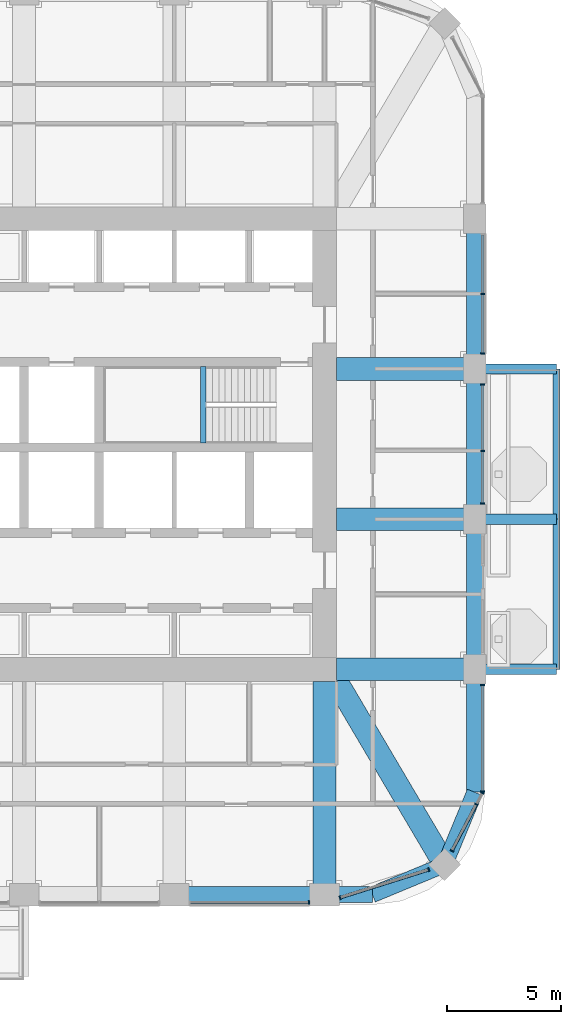
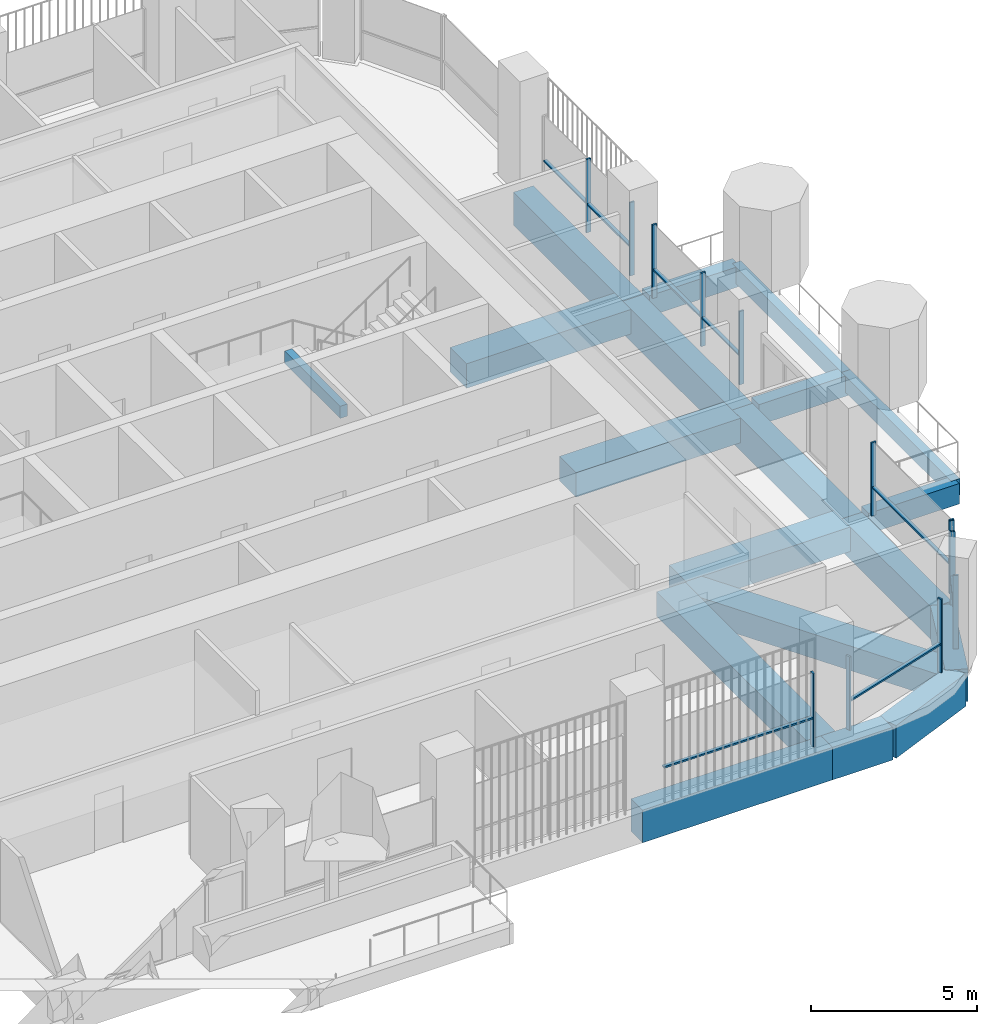
# One storey, part 4 of 20: 21 members, 19 beams, 6 elements without a shape of their own.
"""IFC4 building model written with IfcOpenShell, lengths in metres."""

import ifcopenshell
import ifcopenshell.guid

model = None  # the IFC model being written
_history = None  # IfcOwnerHistory: only IFC2X3 demands one
_inside = {}  # id of a spatial element -> (the spatial element, [elements in it])
_under = {}  # id of a project, library or spatial element -> (it, [spatial elements below it])
_declared = {}  # id of a project -> (the project, [libraries it declares])
_typed = {}  # id of a type object -> (the type object, [elements of that type])
_made_of = {}  # id of a material, layer set ... -> (it, [elements and type objects made of it])


def new_model(schema):
    """Start an empty IFC model of exactly this schema.

    Asked for "IFC4X3", IfcOpenShell would pick the latest addendum, in which some entities
    have other attributes; the version numbers below select the first issue.
    IFC2X3 requires an IfcOwnerHistory on every rooted entity: one is made here for all.
    """
    global model, _history
    if schema == "IFC4X3":
        model = ifcopenshell.file(schema_version=(4, 3, 0, 0))
    else:
        model = ifcopenshell.file(schema=schema)
    _inside.clear()
    _under.clear()
    _declared.clear()
    _typed.clear()
    _made_of.clear()
    _history = None
    if model.schema == "IFC2X3":
        org = make("IfcOrganization", Name="unknown")
        user = make(
            "IfcPersonAndOrganization",
            ThePerson=make("IfcPerson", FamilyName="unknown"),
            TheOrganization=org,
        )
        app = make(
            "IfcApplication",
            ApplicationDeveloper=org,
            Version="unknown",
            ApplicationFullName="unknown",
            ApplicationIdentifier="unknown",
        )
        _history = make(
            "IfcOwnerHistory",
            OwningUser=user,
            OwningApplication=app,
            ChangeAction="ADDED",
            CreationDate=0,
        )
    return model


def make(cls, **values):
    """One entity of the class cls with the attributes given. An attribute that is None is left unset."""
    return model.create_entity(
        cls, **{name: value for name, value in values.items() if value is not None}
    )


def rooted(cls, **values):
    """An entity with a GlobalId (a new one), such as an element, a storey or a relation."""
    return make(cls, GlobalId=ifcopenshell.guid.new(), OwnerHistory=_history, **values)


def si_unit(unit_type, name, prefix=None):
    """IfcSIUnit, for example si_unit("LENGTHUNIT", "METRE", prefix="MILLI")."""
    return make("IfcSIUnit", UnitType=unit_type, Prefix=prefix, Name=name)


def assignment(units):
    """IfcUnitAssignment: the units of a project."""
    return None if units is None else make("IfcUnitAssignment", Units=units)


def point(xyz):
    """IfcCartesianPoint."""
    return None if xyz is None else make("IfcCartesianPoint", Coordinates=xyz)


def direction(xyz):
    """IfcDirection."""
    return None if xyz is None else make("IfcDirection", DirectionRatios=xyz)


def frame(location, z_axis=None, x_axis=None):
    """IfcAxis2Placement3D, a coordinate frame: its origin and axes. An axis left out is left unset."""
    return make(
        "IfcAxis2Placement3D",
        Location=point(location),
        Axis=direction(z_axis),
        RefDirection=direction(x_axis),
    )


def frame_2d(location, x_axis=None):
    """IfcAxis2Placement2D, a coordinate frame in the plane: its origin and x axis."""
    return make(
        "IfcAxis2Placement2D", Location=point(location), RefDirection=direction(x_axis)
    )


def origin():
    """The frame at (0, 0, 0) with its axes left unset."""
    return frame((0.0, 0.0, 0.0))


def origin_2d():
    """The frame at (0, 0) in the plane with its x axis left unset."""
    return frame_2d((0.0, 0.0))


def place(relative_to, where):
    """IfcLocalPlacement: puts the frame where relative to a parent placement (None: the world)."""
    return make(
        "IfcLocalPlacement", PlacementRelTo=relative_to, RelativePlacement=where
    )


def context(
    kind, dimensions, precision=None, world=None, true_north=None, identifier=None
):
    """IfcGeometricRepresentationContext, for example the 3D "Model" context."""
    return make(
        "IfcGeometricRepresentationContext",
        ContextIdentifier=identifier,
        ContextType=kind,
        CoordinateSpaceDimension=dimensions,
        Precision=precision,
        WorldCoordinateSystem=world,
        TrueNorth=true_north,
    )


def subcontext(parent, identifier, kind, view, scale=None):
    """IfcGeometricRepresentationSubContext, for example "Body" below "Model"."""
    return make(
        "IfcGeometricRepresentationSubContext",
        ContextIdentifier=identifier,
        ContextType=kind,
        ParentContext=parent,
        TargetScale=scale,
        TargetView=view,
    )


def project(units=None, contexts=None):
    """IfcProject with its units and contexts."""
    return rooted(
        "IfcProject",
        Name="project",
        RepresentationContexts=contexts,
        UnitsInContext=assignment(units),
    )


def spatial(cls, under=None, at=None, **own):
    """A site, building, storey or space (cls), placed at a placement, below another one or the project."""
    s = rooted(cls, ObjectPlacement=at, **own)
    if under is not None:
        _under.setdefault(under.id(), (under, []))[1].append(s)
    return s


def profile(cls, at=None, kind="AREA", **sizes):
    """A parametric profile (cls). Its sizes go by their IFC names, for example OverallWidth=200.0."""
    return make(cls, ProfileType=kind, Position=at, **sizes)


def rectangle(**sizes):
    """IfcRectangleProfileDef."""
    return profile("IfcRectangleProfileDef", **sizes)


def extrude(swept, where, along, depth):
    """IfcExtrudedAreaSolid: the profile swept, set in the frame where, extruded along a direction by depth."""
    return make(
        "IfcExtrudedAreaSolid",
        SweptArea=swept,
        Position=where,
        ExtrudedDirection=direction(along),
        Depth=depth,
    )


def shape(context_of_items, identifier, shape_type, items):
    """IfcShapeRepresentation: the items that make up one representation, for example the "Body"."""
    return make(
        "IfcShapeRepresentation",
        ContextOfItems=context_of_items,
        RepresentationIdentifier=identifier,
        RepresentationType=shape_type,
        Items=items,
    )


def material(Name=None, Category=None):
    """IfcMaterial."""
    return make("IfcMaterial", Name=Name, Category=Category)


def material_profile(
    of_material, cross_section, Name=None, Category=None, Priority=None
):
    """IfcMaterialProfile: a cross section and its material."""
    return make(
        "IfcMaterialProfile",
        Name=Name,
        Material=of_material,
        Profile=cross_section,
        Priority=Priority,
        Category=Category,
    )


def profile_set(profiles, Name=None, composite=None):
    """IfcMaterialProfileSet."""
    return make(
        "IfcMaterialProfileSet",
        Name=Name,
        MaterialProfiles=profiles,
        CompositeProfile=composite,
    )


def made_of(thing, what):
    """Note that an element or type object is made of a material, layer set ...; save() writes the relation."""
    if what is not None:
        _made_of.setdefault(what.id(), (what, []))[1].append(thing)
    return thing


def type_object(cls, material=None, **own):
    """A type object (cls), such as IfcWallType, which elements share."""
    return made_of(rooted(cls, **own), material)


def element(
    cls,
    number,
    at=None,
    inside=None,
    cuts=None,
    type_object=None,
    material=None,
    context=None,
    identifier="Body",
    shape_type=None,
    held_by="IfcProductDefinitionShape",
    body=None,
    shapes=None,
    **own,
):
    """One element of the class cls, such as IfcWall. Its Tag is "e" and its number.

    at: its placement. inside: the storey or other place that contains it. cuts: it is an
    opening in that element (IfcRelVoidsElement). A single representation is given by context,
    identifier, shape_type and body (its items); several are given by shapes. held_by: the class
    of the entity that holds the representations. save() writes the other relations.
    """
    e = rooted(cls, Tag="e%d" % number, ObjectPlacement=at, **own)
    if body is not None:
        shapes = [shape(context, identifier, shape_type, body)]
    if shapes is not None:
        e.Representation = make(held_by, Representations=shapes)
    if inside is not None:
        _inside.setdefault(inside.id(), (inside, []))[1].append(e)
    if cuts is not None:
        rooted(
            "IfcRelVoidsElement", RelatingBuildingElement=cuts, RelatedOpeningElement=e
        )
    if type_object is not None:
        _typed.setdefault(type_object.id(), (type_object, []))[1].append(e)
    return made_of(e, material)


def aggregate(whole, parts):
    """IfcRelAggregates: a whole, such as a stair, and the parts it consists of."""
    return rooted("IfcRelAggregates", RelatingObject=whole, RelatedObjects=parts)


def save(model, path):
    """Write the relations noted so far, then the file.

    IfcRelAggregates (storeys below a building ...), IfcRelContainedInSpatialStructure (elements
    in a storey), IfcRelDefinesByType, IfcRelAssociatesMaterial and IfcRelDeclares: one each for
    every whole, place, type object, material and project.
    """
    for whole, parts in _under.values():
        aggregate(whole, parts)
    for where, things in _inside.values():
        rooted(
            "IfcRelContainedInSpatialStructure",
            RelatedElements=things,
            RelatingStructure=where,
        )
    for kind, things in _typed.values():
        rooted("IfcRelDefinesByType", RelatedObjects=things, RelatingType=kind)
    for what, things in _made_of.values():
        rooted("IfcRelAssociatesMaterial", RelatedObjects=things, RelatingMaterial=what)
    for by, libraries in _declared.values():
        rooted("IfcRelDeclares", RelatingContext=by, RelatedDefinitions=libraries)
    model.write(path)


model = new_model("IFC4")

# Units and contexts
model_context = context("Model", 3, precision=1e-05, world=origin(), true_north=direction((0.0, 1.0)))
body_context = subcontext(model_context, "Body", "Model", "MODEL_VIEW")
ifc_project = project(units=[si_unit("LENGTHUNIT", "METRE"), si_unit("AREAUNIT", "SQUARE_METRE"), si_unit("VOLUMEUNIT", "CUBIC_METRE"), si_unit("PLANEANGLEUNIT", "RADIAN"), si_unit("MASSUNIT", "GRAM", prefix="KILO")], contexts=[model_context])

# Site, building, storey
site_placement = place(None, origin())
site = spatial("IfcSite", under=ifc_project, at=site_placement, CompositionType="ELEMENT")
building_placement = place(site_placement, origin())
building = spatial("IfcBuilding", under=site, at=building_placement, Name="Cobogo Forest Laboratory Tower", CompositionType="ELEMENT")
storey_placement = place(building_placement, frame((0.0, 0.0, 254.39990234375)))
storey = spatial("IfcBuildingStorey", under=building, at=storey_placement, Name="L58", CompositionType="ELEMENT", Elevation=254.39990234375)

# Beams
ifc_material_1 = material(Name="Concrete HA-40 (C40/50)", Category="concrete")
ifc_material_profile_1 = material_profile(ifc_material_1, rectangle(XDim=0.449951171875, YDim=0.75, at=origin_2d()), Name="RC 450x750")
ifc_profile_set_1 = profile_set([ifc_material_profile_1], Name="Concrete HA-40 (C40/50)")
beam_type_1 = type_object("IfcBeamType", Name="Balcony cantilever beam 450x750", PredefinedType="BEAM", material=ifc_profile_set_1)
for number, where, z_axis, x_axis, name in (
    (1, (46.64990234375, 13.199951171875, -0.625), (1.0, 0.0, 0.0), (0.0, 1.0, 0.0), "CB1 BAL-E1-C1 L58"),
    (2, (46.64990234375, 19.800048828125, -0.625), (1.0, 0.0, 0.0), (0.0, 1.0, 0.0), "CB1 BAL-E1-C2 L58"),
    (3, (46.64990234375, 26.39990234375, -0.625), (1.0, 0.0, 0.0), (0.0, 1.0, 0.0), "CB1 BAL-E1-C3 L58"),
):
    element("IfcBeam", number, at=place(storey_placement, frame(where, z_axis=z_axis, x_axis=x_axis)), inside=storey, type_object=beam_type_1, Name=name, PredefinedType="BEAM", context=body_context, shape_type="SweptSolid", body=[
        extrude(rectangle(XDim=0.449951171875, YDim=0.75, at=origin_2d()), origin(), (0.0, 0.0, 1.0), 3.150146484375),
    ])
ifc_material_profile_2 = material_profile(ifc_material_1, rectangle(XDim=0.300048828125, YDim=0.60009765625, at=origin_2d()), Name="RC 300x600")
ifc_profile_set_2 = profile_set([ifc_material_profile_2], Name="Concrete HA-40 (C40/50)")
beam_type_2 = type_object("IfcBeamType", Name="Balcony edge beam 300x600", PredefinedType="BEAM", material=ifc_profile_set_2)
beam_1_placement = place(storey_placement, frame((49.800048828125, 13.199951171875, -0.5498046875), z_axis=(0.0, 1.0, 0.0), x_axis=(-1.0, 0.0, 0.0)))
element("IfcBeam", 4, at=beam_1_placement, inside=storey, type_object=beam_type_2, Name="BB1 BAL-E1-T1 L58", PredefinedType="BEAM", context=body_context, shape_type="SweptSolid", body=[
    extrude(rectangle(XDim=0.300048828125, YDim=0.60009765625, at=origin_2d()), origin(), (0.0, 0.0, 1.0), 6.60009765625),
])
beam_2_placement = place(storey_placement, frame((49.800048828125, 19.800048828125, -0.5498046875), z_axis=(0.0, 1.0, 0.0), x_axis=(-1.0, 0.0, 0.0)))
element("IfcBeam", 5, at=beam_2_placement, inside=storey, type_object=beam_type_2, Name="BB1 BAL-E1-T2 L58", PredefinedType="BEAM", context=body_context, shape_type="SweptSolid", body=[
    extrude(rectangle(XDim=0.300048828125, YDim=0.60009765625, at=origin_2d()), origin(), (0.0, 0.0, 1.0), 6.599853515625),
])
ifc_material_profile_3 = material_profile(ifc_material_1, rectangle(XDim=0.25, YDim=0.449951171875, at=origin_2d()), Name="RC 250x450")
ifc_profile_set_3 = profile_set([ifc_material_profile_3], Name="Concrete HA-40 (C40/50)")
beam_type_3 = type_object("IfcBeamType", Name="LB1 landing beam 250x450", PredefinedType="BEAM", material=ifc_profile_set_3)
beam_3_placement = place(storey_placement, frame((34.27001953125, 23.14990234375, 1.675048828125), z_axis=(0.0, 1.0, 0.0), x_axis=(-1.0, 0.0, 0.0)))
element("IfcBeam", 6, at=beam_3_placement, inside=storey, type_object=beam_type_3, Name="Landing beam ST2 L58", PredefinedType="BEAM", context=body_context, shape_type="SweptSolid", body=[
    extrude(rectangle(XDim=0.25, YDim=0.449951171875, at=origin_2d()), origin(), (0.0, 0.0, 1.0), 3.35009765625),
])

# Curtain wall, member
ifc_material_2 = material(Name="Aluminium curtain wall", Category="aluminium")
curtain_wall_type = type_object("IfcCurtainWallType", Name="CW-2 unitised curtain wall, solar control glazing, laboratory floors zones C and D", PredefinedType="USERDEFINED", material=ifc_material_2)
curtain_wall_1_placement = place(storey_placement, origin())
curtain_wall_1 = element("IfcCurtainWall", 7, at=curtain_wall_1_placement, inside=storey, type_object=curtain_wall_type, Name="Curtain wall 04 L58", ObjectType="UNITISED CURTAIN WALL", PredefinedType="USERDEFINED")
ifc_material_3 = material(Name="Aluminium mullion", Category="aluminium")
ifc_material_profile_4 = material_profile(ifc_material_3, rectangle(XDim=0.06005859375, YDim=0.159912109375, at=origin_2d()), Name="AL 60x160")
ifc_profile_set_4 = profile_set([ifc_material_profile_4], Name="Aluminium mullion")
member_type_1 = type_object("IfcMemberType", Name="MU-1 aluminium mullion 60x160", PredefinedType="MULLION", material=ifc_profile_set_4)
member_1_placement = place(storey_placement, frame((38.919921875, 2.949951171875, 0.0), z_axis=(0.0, 0.0, 1.0), x_axis=(1.0, 0.0, 0.0)))
member_1 = element("IfcMember", 8, at=member_1_placement, type_object=member_type_1, Name="CW-2 mullion 2", PredefinedType="MULLION", context=body_context, shape_type="SweptSolid", body=[
    extrude(rectangle(XDim=0.06005859375, YDim=0.159912109375, at=origin_2d()), origin(), (0.0, 0.0, 1.0), 2.7001953125),
])

# Curtain wall, members
curtain_wall_2_placement = place(storey_placement, origin())
curtain_wall_2 = element("IfcCurtainWall", 9, at=curtain_wall_2_placement, inside=storey, type_object=curtain_wall_type, Name="Curtain wall 05 L58", ObjectType="UNITISED CURTAIN WALL", PredefinedType="USERDEFINED")
member_2_placement = place(storey_placement, frame((40.278564453125, 3.164306640625, 0.0), z_axis=(0.0, 0.0, 1.0), x_axis=(0.953581386052, 0.301135418334, 0.0)))
member_2 = element("IfcMember", 10, at=member_2_placement, type_object=member_type_1, Name="CW-2 mullion 1", PredefinedType="MULLION", context=body_context, shape_type="SweptSolid", body=[
    extrude(rectangle(XDim=0.06005859375, YDim=0.159912109375, at=origin_2d()), origin(), (0.0, 0.0, 1.0), 2.7001953125),
])
member_3_placement = place(storey_placement, frame((44.17626953125, 4.395263671875, 0.0), z_axis=(0.0, 0.0, 1.0), x_axis=(0.953581386052, 0.301135418334, 0.0)))
member_3 = element("IfcMember", 11, at=member_3_placement, type_object=member_type_1, Name="CW-2 mullion 2", PredefinedType="MULLION", context=body_context, shape_type="SweptSolid", body=[
    extrude(rectangle(XDim=0.06005859375, YDim=0.159912109375, at=origin_2d()), origin(), (0.0, 0.0, 1.0), 2.7001953125),
])

curtain_wall_3_placement = place(storey_placement, origin())
curtain_wall_3 = element("IfcCurtainWall", 12, at=curtain_wall_3_placement, inside=storey, type_object=curtain_wall_type, Name="Curtain wall 06 L58", ObjectType="UNITISED CURTAIN WALL", PredefinedType="USERDEFINED")
member_4_placement = place(storey_placement, frame((45.202392578125, 5.229248046875, 0.0), z_axis=(0.0, 0.0, 1.0), x_axis=(0.464283791352, 0.885686491422, 0.0)))
member_4 = element("IfcMember", 13, at=member_4_placement, type_object=member_type_1, Name="CW-2 mullion 1", PredefinedType="MULLION", context=body_context, shape_type="SweptSolid", body=[
    extrude(rectangle(XDim=0.06005859375, YDim=0.159912109375, at=origin_2d()), origin(), (0.0, 0.0, 1.0), 2.7001953125),
])
member_5_placement = place(storey_placement, frame((46.268310546875, 7.262939453125, 0.0), z_axis=(0.0, 0.0, 1.0), x_axis=(0.464283791352, 0.885686491422, 0.0)))
member_5 = element("IfcMember", 14, at=member_5_placement, type_object=member_type_1, Name="CW-2 mullion 2", PredefinedType="MULLION", context=body_context, shape_type="SweptSolid", body=[
    extrude(rectangle(XDim=0.06005859375, YDim=0.159912109375, at=origin_2d()), origin(), (0.0, 0.0, 1.0), 2.7001953125),
])
member_6_placement = place(storey_placement, frame((46.5361328125, 7.7734375, 0.0), z_axis=(0.0, 0.0, 1.0), x_axis=(0.464283791352, 0.885686491422, 0.0)))
member_6 = element("IfcMember", 15, at=member_6_placement, type_object=member_type_1, Name="CW-2 mullion 3", PredefinedType="MULLION", context=body_context, shape_type="SweptSolid", body=[
    extrude(rectangle(XDim=0.06005859375, YDim=0.159912109375, at=origin_2d()), origin(), (0.0, 0.0, 1.0), 2.7001953125),
])

curtain_wall_4_placement = place(storey_placement, origin())
curtain_wall_4 = element("IfcCurtainWall", 16, at=curtain_wall_4_placement, inside=storey, type_object=curtain_wall_type, Name="Curtain wall 07 L58", ObjectType="UNITISED CURTAIN WALL", PredefinedType="USERDEFINED")
member_7_placement = place(storey_placement, frame((46.550048828125, 7.830078125, 0.0), z_axis=(0.0, 0.0, 1.0), x_axis=(0.0, 1.0, 0.0)))
member_7 = element("IfcMember", 17, at=member_7_placement, type_object=member_type_1, Name="CW-2 mullion 1", PredefinedType="MULLION", context=body_context, shape_type="SweptSolid", body=[
    extrude(rectangle(XDim=0.06005859375, YDim=0.159912109375, at=origin_2d()), origin(), (0.0, 0.0, 1.0), 2.7001953125),
])
member_8_placement = place(storey_placement, frame((46.550048828125, 12.52001953125, 0.0), z_axis=(0.0, 0.0, 1.0), x_axis=(0.0, 1.0, 0.0)))
member_8 = element("IfcMember", 18, at=member_8_placement, type_object=member_type_1, Name="CW-2 mullion 2", PredefinedType="MULLION", context=body_context, shape_type="SweptSolid", body=[
    extrude(rectangle(XDim=0.06005859375, YDim=0.159912109375, at=origin_2d()), origin(), (0.0, 0.0, 1.0), 2.7001953125),
])

curtain_wall_5_placement = place(storey_placement, origin())
curtain_wall_5 = element("IfcCurtainWall", 19, at=curtain_wall_5_placement, inside=storey, type_object=curtain_wall_type, Name="Curtain wall 09 L58", ObjectType="UNITISED CURTAIN WALL", PredefinedType="USERDEFINED")
member_9_placement = place(storey_placement, frame((46.550048828125, 20.47998046875, 0.0), z_axis=(0.0, 0.0, 1.0), x_axis=(0.0, 1.0, 0.0)))
member_9 = element("IfcMember", 20, at=member_9_placement, type_object=member_type_1, Name="CW-2 mullion 1", PredefinedType="MULLION", context=body_context, shape_type="SweptSolid", body=[
    extrude(rectangle(XDim=0.06005859375, YDim=0.159912109375, at=origin_2d()), origin(), (0.0, 0.0, 1.0), 2.7001953125),
])
member_10_placement = place(storey_placement, frame((46.550048828125, 22.800048828125, 0.0), z_axis=(0.0, 0.0, 1.0), x_axis=(0.0, 1.0, 0.0)))
member_10 = element("IfcMember", 21, at=member_10_placement, type_object=member_type_1, Name="CW-2 mullion 2", PredefinedType="MULLION", context=body_context, shape_type="SweptSolid", body=[
    extrude(rectangle(XDim=0.06005859375, YDim=0.159912109375, at=origin_2d()), origin(), (0.0, 0.0, 1.0), 2.7001953125),
])
member_11_placement = place(storey_placement, frame((46.550048828125, 25.719970703125, 0.0), z_axis=(0.0, 0.0, 1.0), x_axis=(0.0, 1.0, 0.0)))
member_11 = element("IfcMember", 22, at=member_11_placement, type_object=member_type_1, Name="CW-2 mullion 3", PredefinedType="MULLION", context=body_context, shape_type="SweptSolid", body=[
    extrude(rectangle(XDim=0.06005859375, YDim=0.159912109375, at=origin_2d()), origin(), (0.0, 0.0, 1.0), 2.7001953125),
])

curtain_wall_6_placement = place(storey_placement, origin())
curtain_wall_6 = element("IfcCurtainWall", 23, at=curtain_wall_6_placement, inside=storey, type_object=curtain_wall_type, Name="Curtain wall 10 L58", ObjectType="UNITISED CURTAIN WALL", PredefinedType="USERDEFINED")
member_12_placement = place(storey_placement, frame((46.550048828125, 27.080078125, 0.0), z_axis=(0.0, 0.0, 1.0), x_axis=(0.0, 1.0, 0.0)))
member_12 = element("IfcMember", 24, at=member_12_placement, type_object=member_type_1, Name="CW-2 mullion 1", PredefinedType="MULLION", context=body_context, shape_type="SweptSolid", body=[
    extrude(rectangle(XDim=0.06005859375, YDim=0.159912109375, at=origin_2d()), origin(), (0.0, 0.0, 1.0), 2.7001953125),
])
member_13_placement = place(storey_placement, frame((46.550048828125, 29.699951171875, 0.0), z_axis=(0.0, 0.0, 1.0), x_axis=(0.0, 1.0, 0.0)))
member_13 = element("IfcMember", 25, at=member_13_placement, type_object=member_type_1, Name="CW-2 mullion 2", PredefinedType="MULLION", context=body_context, shape_type="SweptSolid", body=[
    extrude(rectangle(XDim=0.06005859375, YDim=0.159912109375, at=origin_2d()), origin(), (0.0, 0.0, 1.0), 2.7001953125),
])

# Beams
ifc_material_profile_5 = material_profile(ifc_material_1, rectangle(XDim=1.0, YDim=0.89990234375, at=origin_2d()), Name="RC 1000x900")
ifc_profile_set_5 = profile_set([ifc_material_profile_5], Name="Concrete HA-40 (C40/50)")
beam_type_4 = type_object("IfcBeamType", Name="Office floor wide beam 1000x900", PredefinedType="BEAM", material=ifc_profile_set_5)
beam_4_placement = place(storey_placement, frame((39.60009765625, 12.675048828125, -0.75), z_axis=(0.0, -1.0, 0.0), x_axis=(1.0, 0.0, 0.0)))
element("IfcBeam", 26, at=beam_4_placement, inside=storey, type_object=beam_type_4, Name="RB2 R-7-S L58", PredefinedType="BEAM", context=body_context, shape_type="SweptSolid", body=[
    extrude(rectangle(XDim=1.0, YDim=0.89990234375, at=origin_2d()), origin(), (0.0, 0.0, 1.0), 9.375),
])
for number, where, z_axis, x_axis, name in (
    (27, (40.125, 13.199951171875, -0.75), (1.0, 0.0, 0.0), (0.0, 1.0, 0.0), "RB2 R-C-E L58"),
    (28, (40.125, 19.800048828125, -0.75), (1.0, 0.0, 0.0), (0.0, 1.0, 0.0), "RB2 R-D-E L58"),
    (29, (40.125, 26.39990234375, -0.75), (1.0, 0.0, 0.0), (0.0, 1.0, 0.0), "RB2 R-E-E L58"),
):
    element("IfcBeam", number, at=place(storey_placement, frame(where, z_axis=z_axis, x_axis=x_axis)), inside=storey, type_object=beam_type_4, Name=name, PredefinedType="BEAM", context=body_context, shape_type="SweptSolid", body=[
        extrude(rectangle(XDim=1.0, YDim=0.89990234375, at=origin_2d()), origin(), (0.0, 0.0, 1.0), 6.074951171875),
    ])
beam_5_placement = place(storey_placement, frame((44.882080078125, 4.617919921875, -0.75), z_axis=(-0.508416325908, 0.861111397875, 0.0), x_axis=(-0.861111397875, -0.508416325908, 0.0)))
element("IfcBeam", 30, at=beam_5_placement, inside=storey, type_object=beam_type_4, Name="RB2 G-SE-D1 L58", PredefinedType="BEAM", context=body_context, shape_type="SweptSolid", body=[
    extrude(rectangle(XDim=1.0, YDim=0.89990234375, at=origin_2d()), origin(), (0.0, 0.0, 1.0), 9.356689453125),
])
ifc_material_profile_6 = material_profile(ifc_material_1, rectangle(XDim=0.699951171875, YDim=1.199951171875, at=origin_2d()), Name="RC 700x1200")
ifc_profile_set_6 = profile_set([ifc_material_profile_6], Name="Concrete HA-40 (C40/50)")
beam_type_5 = type_object("IfcBeamType", Name="Perimeter edge beam 700x1200", PredefinedType="BEAM", material=ifc_profile_set_6)
for number, where, z_axis, x_axis, name in (
    (31, (33.0, 3.300048828125, -0.89990234375), (1.0, 0.0, 0.0), (0.0, 1.0, 0.0), "EB1 E-S4 L58"),
    (32, (46.199951171875, 13.199951171875, -0.89990234375), (0.0, 1.0, 0.0), (-1.0, 0.0, 0.0), "EB1 E-E1 L58"),
):
    element("IfcBeam", number, at=place(storey_placement, frame(where, z_axis=z_axis, x_axis=x_axis)), inside=storey, type_object=beam_type_5, Name=name, PredefinedType="BEAM", context=body_context, shape_type="SweptSolid", body=[
        extrude(rectangle(XDim=0.699951171875, YDim=1.199951171875, at=origin_2d()), origin(), (0.0, 0.0, 1.0), 6.60009765625),
    ])
beam_6_placement = place(storey_placement, frame((46.199951171875, 19.800048828125, -0.89990234375), z_axis=(0.0, 1.0, 0.0), x_axis=(-1.0, 0.0, 0.0)))
element("IfcBeam", 33, at=beam_6_placement, inside=storey, type_object=beam_type_5, Name="EB1 E-E2 L58", PredefinedType="BEAM", context=body_context, shape_type="SweptSolid", body=[
    extrude(rectangle(XDim=0.699951171875, YDim=1.199951171875, at=origin_2d()), origin(), (0.0, 0.0, 1.0), 6.599853515625),
])
beam_7_placement = place(storey_placement, frame((46.199951171875, 26.39990234375, -0.89990234375), z_axis=(0.0, 1.0, 0.0), x_axis=(-1.0, 0.0, 0.0)))
element("IfcBeam", 34, at=beam_7_placement, inside=storey, type_object=beam_type_5, Name="EB1 E-E3 L58", PredefinedType="BEAM", context=body_context, shape_type="SweptSolid", body=[
    extrude(rectangle(XDim=0.699951171875, YDim=1.199951171875, at=origin_2d()), origin(), (0.0, 0.0, 1.0), 6.60009765625),
])
beam_8_placement = place(storey_placement, frame((39.60009765625, 3.300048828125, -0.89990234375), z_axis=(1.0, 0.0, 0.0), x_axis=(0.0, 1.0, 0.0)))
element("IfcBeam", 35, at=beam_8_placement, inside=storey, type_object=beam_type_5, Name="EB1 E-SES1 L58", PredefinedType="BEAM", context=body_context, shape_type="SweptSolid", body=[
    extrude(rectangle(XDim=0.699951171875, YDim=1.199951171875, at=origin_2d()), origin(), (0.0, 0.0, 1.0), 2.099853515625),
])
beam_9_placement = place(storey_placement, frame((41.699951171875, 3.300048828125, -0.89990234375), z_axis=(0.923901072997, 0.382631424892, 0.0), x_axis=(-0.382631424892, 0.923901072997, 0.0)))
element("IfcBeam", 36, at=beam_9_placement, inside=storey, type_object=beam_type_5, Name="EB1 E-SES2 L58", PredefinedType="BEAM", context=body_context, shape_type="SweptSolid", body=[
    extrude(rectangle(XDim=0.699951171875, YDim=1.199951171875, at=origin_2d()), origin(), (0.0, 0.0, 1.0), 3.4443359375),
])
beam_10_placement = place(storey_placement, frame((46.199951171875, 13.199951171875, -0.89990234375), z_axis=(0.0, -1.0, 0.0), x_axis=(1.0, 0.0, 0.0)))
element("IfcBeam", 37, at=beam_10_placement, inside=storey, type_object=beam_type_5, Name="EB1 E-SEE1 L58", PredefinedType="BEAM", context=body_context, shape_type="SweptSolid", body=[
    extrude(rectangle(XDim=0.699951171875, YDim=1.199951171875, at=origin_2d()), origin(), (0.0, 0.0, 1.0), 5.39990234375),
])
beam_11_placement = place(storey_placement, frame((46.199951171875, 7.800048828125, -0.89990234375), z_axis=(-0.382631424892, -0.923901072997, 0.0), x_axis=(0.923901072997, -0.382631424892, 0.0)))
element("IfcBeam", 38, at=beam_11_placement, inside=storey, type_object=beam_type_5, Name="EB1 E-SEE2 L58", PredefinedType="BEAM", context=body_context, shape_type="SweptSolid", body=[
    extrude(rectangle(XDim=0.699951171875, YDim=1.199951171875, at=origin_2d()), origin(), (0.0, 0.0, 1.0), 3.4443359375),
])

# Member
ifc_material_4 = material(Name="Aluminium transom", Category="aluminium")
ifc_material_profile_7 = material_profile(ifc_material_4, rectangle(XDim=0.1201171875, YDim=0.06005859375, at=origin_2d()), Name="AL 60x120")
ifc_profile_set_7 = profile_set([ifc_material_profile_7], Name="Aluminium transom")
member_type_2 = type_object("IfcMemberType", Name="TR-1 aluminium transom 60x120", PredefinedType="USERDEFINED", material=ifc_profile_set_7)
member_14_placement = place(storey_placement, frame((33.7099609375, 2.949951171875, 1.050048828125), z_axis=(1.0, 0.0, 0.0), x_axis=(0.0, 1.0, 0.0)))
member_14 = element("IfcMember", 39, at=member_14_placement, type_object=member_type_2, Name="CW-2 transom 1.1", ObjectType="TRANSOM", PredefinedType="USERDEFINED", context=body_context, shape_type="SweptSolid", body=[
    extrude(rectangle(XDim=0.1201171875, YDim=0.06005859375, at=origin_2d()), origin(), (0.0, 0.0, 1.0), 5.179931640625),
])

aggregate(curtain_wall_1, [member_1, member_14])

member_15_placement = place(storey_placement, frame((40.30712890625, 3.17333984375, 1.050048828125), z_axis=(0.953577168155, 0.301148774483, 0.0), x_axis=(-0.301148774483, 0.953577168155, 0.0)))
member_15 = element("IfcMember", 40, at=member_15_placement, type_object=member_type_2, Name="CW-2 transom 1.1", ObjectType="TRANSOM", PredefinedType="USERDEFINED", context=body_context, shape_type="SweptSolid", body=[
    extrude(rectangle(XDim=0.1201171875, YDim=0.06005859375, at=origin_2d()), origin(), (0.0, 0.0, 1.0), 4.027587890625),
])

aggregate(curtain_wall_2, [member_2, member_3, member_15])

member_16_placement = place(storey_placement, frame((45.21630859375, 5.255615234375, 1.050048828125), z_axis=(0.464206875758, 0.885726806921, 0.0), x_axis=(-0.885726806921, 0.464206875758, 0.0)))
member_16 = element("IfcMember", 41, at=member_16_placement, type_object=member_type_2, Name="CW-2 transom 1.1", ObjectType="TRANSOM", PredefinedType="USERDEFINED", context=body_context, shape_type="SweptSolid", body=[
    extrude(rectangle(XDim=0.1201171875, YDim=0.06005859375, at=origin_2d()), origin(), (0.0, 0.0, 1.0), 2.236328125),
])

aggregate(curtain_wall_3, [member_4, member_5, member_6, member_16])

member_17_placement = place(storey_placement, frame((46.550048828125, 7.860107421875, 1.050048828125), z_axis=(0.0, 1.0, 0.0), x_axis=(-1.0, 0.0, 0.0)))
member_17 = element("IfcMember", 42, at=member_17_placement, type_object=member_type_2, Name="CW-2 transom 1.1", ObjectType="TRANSOM", PredefinedType="USERDEFINED", context=body_context, shape_type="SweptSolid", body=[
    extrude(rectangle(XDim=0.1201171875, YDim=0.06005859375, at=origin_2d()), origin(), (0.0, 0.0, 1.0), 4.6298828125),
])

aggregate(curtain_wall_4, [member_7, member_8, member_17])

member_18_placement = place(storey_placement, frame((46.550048828125, 20.510009765625, 1.050048828125), z_axis=(0.0, 1.0, 0.0), x_axis=(-1.0, 0.0, 0.0)))
member_18 = element("IfcMember", 43, at=member_18_placement, type_object=member_type_2, Name="CW-2 transom 1.1", ObjectType="TRANSOM", PredefinedType="USERDEFINED", context=body_context, shape_type="SweptSolid", body=[
    extrude(rectangle(XDim=0.1201171875, YDim=0.06005859375, at=origin_2d()), origin(), (0.0, 0.0, 1.0), 2.260009765625),
])

member_19_placement = place(storey_placement, frame((46.550048828125, 22.830078125, 1.050048828125), z_axis=(0.0, 1.0, 0.0), x_axis=(-1.0, 0.0, 0.0)))
member_19 = element("IfcMember", 44, at=member_19_placement, type_object=member_type_2, Name="CW-2 transom 2.1", ObjectType="TRANSOM", PredefinedType="USERDEFINED", context=body_context, shape_type="SweptSolid", body=[
    extrude(rectangle(XDim=0.1201171875, YDim=0.06005859375, at=origin_2d()), origin(), (0.0, 0.0, 1.0), 2.85986328125),
])

aggregate(curtain_wall_5, [member_9, member_10, member_11, member_18, member_19])

member_20_placement = place(storey_placement, frame((46.550048828125, 27.110107421875, 1.050048828125), z_axis=(0.0, 1.0, 0.0), x_axis=(-1.0, 0.0, 0.0)))
member_20 = element("IfcMember", 45, at=member_20_placement, type_object=member_type_2, Name="CW-2 transom 1.1", ObjectType="TRANSOM", PredefinedType="USERDEFINED", context=body_context, shape_type="SweptSolid", body=[
    extrude(rectangle(XDim=0.1201171875, YDim=0.06005859375, at=origin_2d()), origin(), (0.0, 0.0, 1.0), 2.559814453125),
])

member_21_placement = place(storey_placement, frame((46.550048828125, 29.72998046875, 1.050048828125), z_axis=(0.0, 1.0, 0.0), x_axis=(-1.0, 0.0, 0.0)))
member_21 = element("IfcMember", 46, at=member_21_placement, type_object=member_type_2, Name="CW-2 transom 2.1", ObjectType="TRANSOM", PredefinedType="USERDEFINED", context=body_context, shape_type="SweptSolid", body=[
    extrude(rectangle(XDim=0.1201171875, YDim=0.06005859375, at=origin_2d()), origin(), (0.0, 0.0, 1.0), 2.56005859375),
])

aggregate(curtain_wall_6, [member_12, member_13, member_20, member_21])

save(model, "model.ifc")
